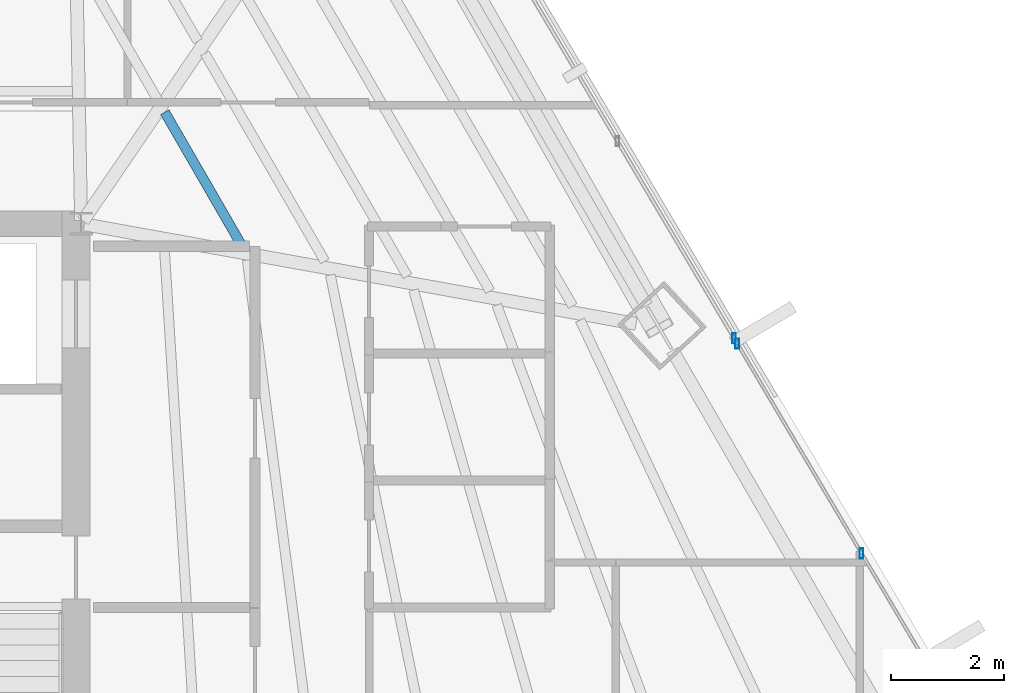
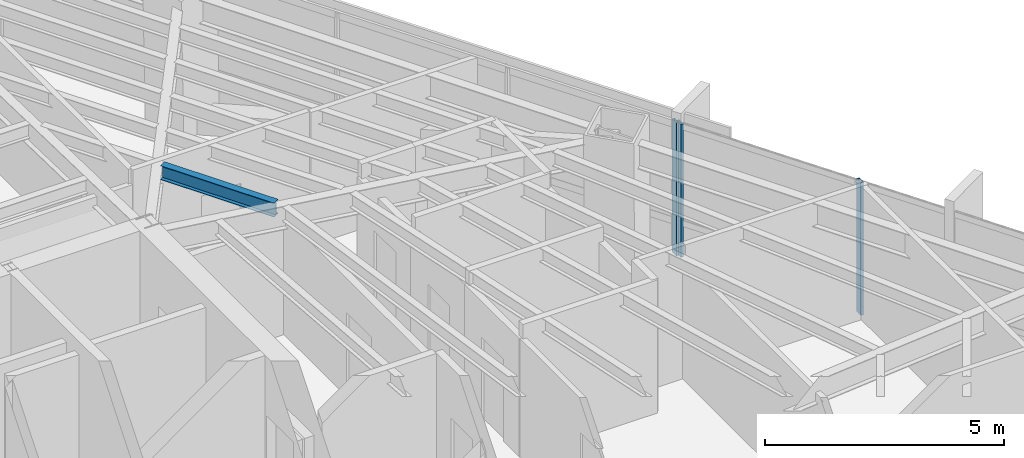
# One storey, part 21 of 36: 3 members, 1 beam, 2 elements without a shape of their own.
"""IFC4 building model written with IfcOpenShell, lengths in metres."""

from ifc_helpers import new_model, si_unit, direction, frame, origin, origin_2d, place, context, subcontext, project, spatial, hollow_rectangle, i_section, extrude, source, transform, mapped, material, material_profile, profile_set, type_object, type_shapes, element, aggregate, save


model = new_model("IFC4")

# Units and contexts
model_context = context("Model", 3, precision=1e-05, world=origin(), true_north=direction((0.0, 1.0)))
body_context = subcontext(model_context, "Body", "Model", "MODEL_VIEW")
ifc_project = project(units=[si_unit("LENGTHUNIT", "METRE"), si_unit("AREAUNIT", "SQUARE_METRE"), si_unit("VOLUMEUNIT", "CUBIC_METRE"), si_unit("PLANEANGLEUNIT", "RADIAN"), si_unit("MASSUNIT", "GRAM", prefix="KILO")], contexts=[model_context])

# Site, building, storey
site_placement = place(None, origin())
site = spatial("IfcSite", under=ifc_project, at=site_placement, CompositionType="ELEMENT")
building_placement = place(site_placement, origin())
building = spatial("IfcBuilding", under=site, at=building_placement, Name="Caelisora Broadcast Tower", CompositionType="ELEMENT")
storey_placement = place(building_placement, frame((0.0, 0.0, 112.699951171875)))
storey = spatial("IfcBuildingStorey", under=building, at=storey_placement, Name="L29", CompositionType="ELEMENT", Elevation=112.699951171875)

# Beam
ifc_material_1 = material(Name="Steel Grade 350 (AS/NZS 3679.1)", Category="steel")
ifc_material_profile_1 = material_profile(ifc_material_1, i_section(OverallWidth=0.172119140625, OverallDepth=0.358642578125, WebThickness=0.008056640625, FlangeThickness=0.012939453125, at=origin_2d()), Name="Steel Grade 350 (AS/NZS 3679.1)")
ifc_profile_set_1 = profile_set([ifc_material_profile_1], Name="Steel Grade 350 (AS/NZS 3679.1)")
beam_type = type_object("IfcBeamType", Name="SB02", PredefinedType="JOIST", material=ifc_profile_set_1)
shared_shape_1 = source(origin(), body_context, "Body", "SweptSolid", [
    extrude(i_section(OverallWidth=0.172119140625, OverallDepth=0.358642578125, WebThickness=0.008056640625, FlangeThickness=0.012939453125, at=origin_2d()), origin(), (0.0, 0.0, 1.0), 2.744873046875),
])
type_shapes(beam_type, [shared_shape_1])
beam_placement = place(storey_placement, frame((48.353515625, 29.5986328125, 3.220703125), z_axis=(-0.50002270823, 0.866012292785, 0.0), x_axis=(-0.866012292785, -0.50002270823, 0.0)))
element("IfcBeam", 1, at=beam_placement, inside=storey, type_object=beam_type, Name="L29 beam SB02", PredefinedType="JOIST", context=body_context, shape_type="MappedRepresentation", body=[
    mapped(shared_shape_1, transform((0.0, 0.0, 0.0), scale=1.0)),
])

# Curtain wall, member
ifc_material_2 = material(Name="Unitised Aluminium Insulated Shadow-Box Spandrel Curtain Wall", Category="aluminium")
curtain_wall_type_1 = type_object("IfcCurtainWallType", Name="CW-SP1", PredefinedType="NOTDEFINED", material=ifc_material_2)
curtain_wall_1_placement = place(storey_placement, origin())
curtain_wall_1 = element("IfcCurtainWall", 2, at=curtain_wall_1_placement, inside=storey, type_object=curtain_wall_type_1, Name="L29 curtain wall CW-SP1", PredefinedType="NOTDEFINED")
ifc_material_3 = material(Name="Aluminium 6063-T6 Anodised Terracotta Bronze", Category="aluminium")
ifc_material_profile_2 = material_profile(ifc_material_3, hollow_rectangle(XDim=0.06494140625, YDim=0.179931640625, WallThickness=0.00341796875, at=origin_2d()), Name="Aluminium 6063-T6 Anodised Terracotta Bronze")
ifc_profile_set_2 = profile_set([ifc_material_profile_2], Name="Aluminium 6063-T6 Anodised Terracotta Bronze")
member_type = type_object("IfcMemberType", Name="CWM-02", PredefinedType="MULLION", material=ifc_profile_set_2)
shared_shape_2 = source(origin(), body_context, "Body", "SweptSolid", [
    extrude(hollow_rectangle(XDim=0.06494140625, YDim=0.179931640625, WallThickness=0.00341796875, at=origin_2d()), origin(), (0.0, 0.0, 1.0), 3.400146484375),
])
type_shapes(member_type, [shared_shape_2])
member_1_placement = place(storey_placement, frame((57.06640625, 27.9716796875, 0.0), z_axis=(0.0, 0.0, 1.0), x_axis=(1.0, 0.0, 0.0)))
member_1 = element("IfcMember", 3, at=member_1_placement, type_object=member_type, Name="L29-CW-B02 mullion #3", PredefinedType="MULLION", context=body_context, shape_type="MappedRepresentation", body=[
    mapped(shared_shape_2, transform((0.0, 0.0, 0.0), scale=1.0)),
])
aggregate(curtain_wall_1, [member_1])

# Curtain wall, members
ifc_material_4 = material(Name="Unitised Aluminium and Low-E Glass Curtain Wall", Category="glass")
curtain_wall_type_2 = type_object("IfcCurtainWallType", Name="CW-Z2", PredefinedType="NOTDEFINED", material=ifc_material_4)
curtain_wall_2_placement = place(storey_placement, origin())
curtain_wall_2 = element("IfcCurtainWall", 4, at=curtain_wall_2_placement, inside=storey, type_object=curtain_wall_type_2, Name="L29 curtain wall CW-Z2", PredefinedType="NOTDEFINED")
member_2_placement = place(storey_placement, frame((57.12255859375, 27.876953125, 0.0), z_axis=(0.0, 0.0, 1.0), x_axis=(1.0, 0.0, 0.0)))
member_2 = element("IfcMember", 5, at=member_2_placement, type_object=member_type, Name="L29-CW-B03 mullion #0", PredefinedType="MULLION", context=body_context, shape_type="MappedRepresentation", body=[
    mapped(shared_shape_2, transform((0.0, 0.0, 0.0), scale=1.0)),
])
member_3_placement = place(storey_placement, frame((59.32373046875, 24.15966796875, 0.0), z_axis=(0.0, 0.0, 1.0), x_axis=(1.0, 0.0, 0.0)))
member_3 = element("IfcMember", 6, at=member_3_placement, type_object=member_type, Name="L29-CW-B03 mullion #1", PredefinedType="MULLION", context=body_context, shape_type="MappedRepresentation", body=[
    mapped(shared_shape_2, transform((0.0, 0.0, 0.0), scale=1.0)),
])
aggregate(curtain_wall_2, [member_2, member_3])

save(model, "model.ifc")
